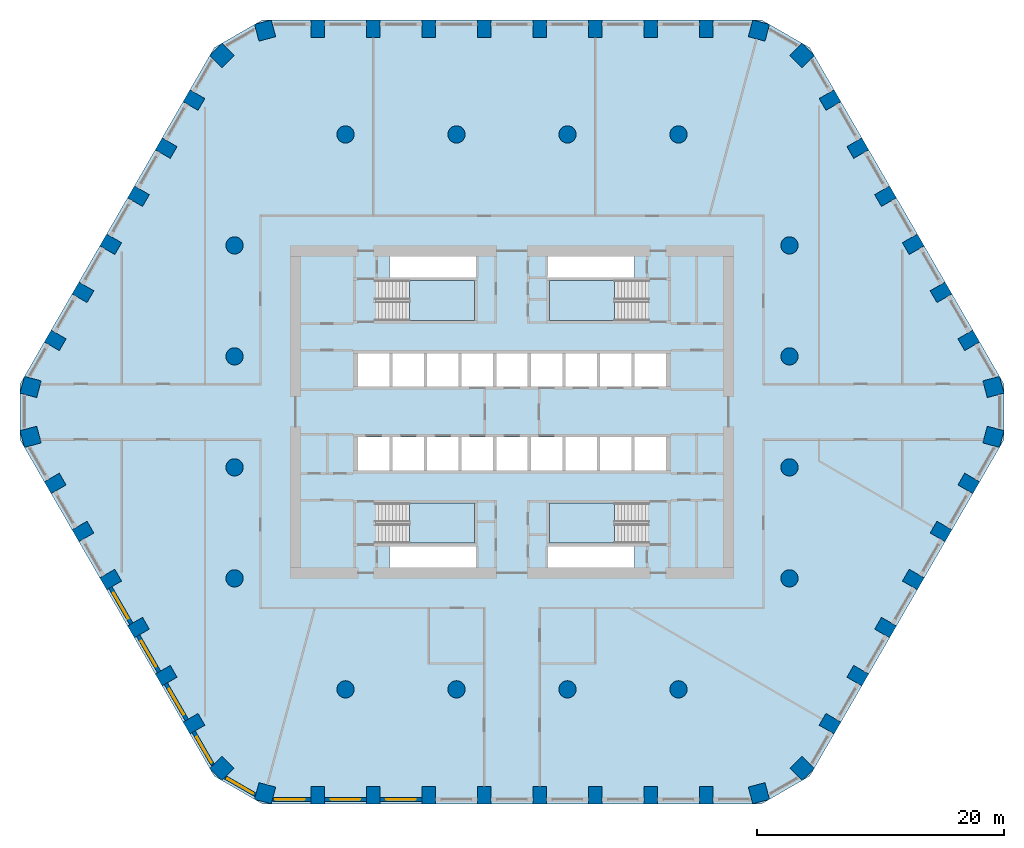
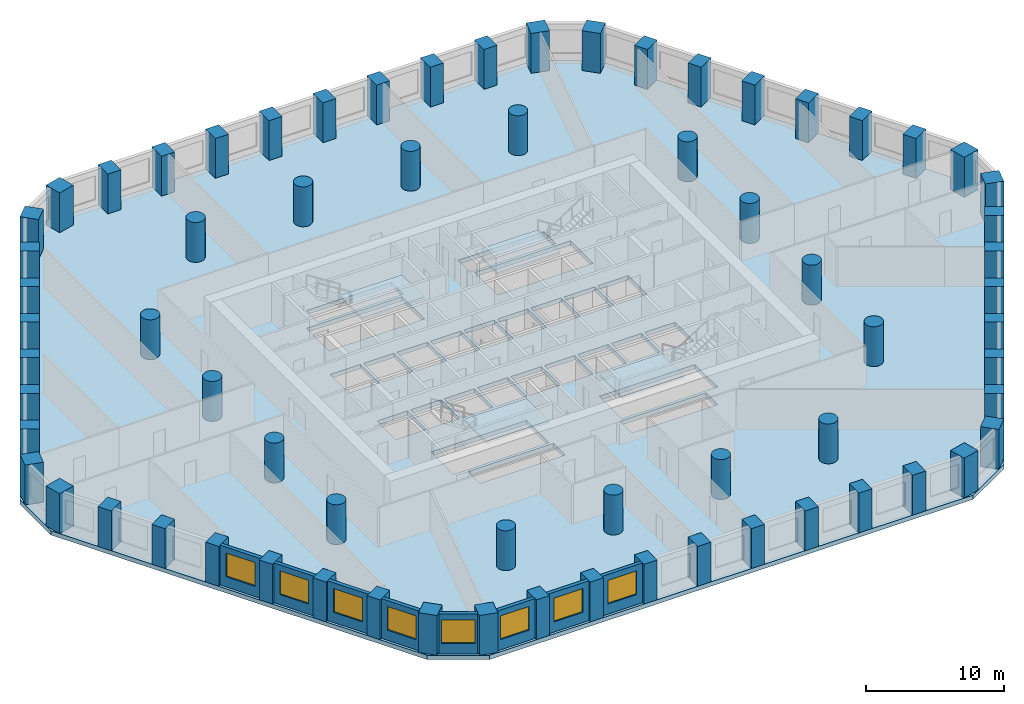
# One storey, part 1 of 10: 68 columns, 8 walls, 8 windows, 5 slabs, 8 openings, 4 elements without a shape of their own.
"""IFC4 building model written with IfcOpenShell, lengths in metres."""

from ifc_helpers import new_model, si_unit, direction, frame, frame_2d, origin, origin_2d, place, context, subcontext, project, spatial, polyline, rectangle, circle, outline, extrude, material, layer, layer_set, material_profile, profile_set, type_object, element, fill, aggregate, save


model = new_model("IFC4")

# Units and contexts
model_context = context("Model", 3, precision=1e-05, world=origin(), true_north=direction((0.0, 1.0)))
body_context = subcontext(model_context, "Body", "Model", "MODEL_VIEW")
ifc_project = project(units=[si_unit("LENGTHUNIT", "METRE"), si_unit("AREAUNIT", "SQUARE_METRE"), si_unit("VOLUMEUNIT", "CUBIC_METRE"), si_unit("PLANEANGLEUNIT", "RADIAN"), si_unit("MASSUNIT", "GRAM", prefix="KILO")], contexts=[model_context])

# Site, building, storey
site_placement = place(None, origin())
site = spatial("IfcSite", under=ifc_project, at=site_placement, CompositionType="ELEMENT")
building_placement = place(site_placement, origin())
building = spatial("IfcBuilding", under=site, at=building_placement, Name="Dhurran Vertical Campus", CompositionType="ELEMENT")
storey_placement = place(building_placement, frame((0.0, 0.0, 65.10009765625)))
storey = spatial("IfcBuildingStorey", under=building, at=storey_placement, Name="L15", CompositionType="ELEMENT", Elevation=65.10009765625)

# Columns
ifc_material_1 = material(Name="Concrete C70/85", Category="concrete")
ifc_material_profile_1 = material_profile(ifc_material_1, rectangle(XDim=1.10009765625, YDim=1.39990234375, at=origin_2d()), Name="RC 1100x1400")
ifc_profile_set_1 = profile_set([ifc_material_profile_1], Name="Concrete C70/85")
column_type_1 = type_object("IfcColumnType", Name="FR COL RC 1100x1400 C70/85", PredefinedType="COLUMN", material=ifc_profile_set_1)
for number, where, z_axis, x_axis, name in (
    (1, (-15.75, -31.079833984375, 0.0), (0.0, 0.0, 1.0), (1.0, 0.0, 0.0), "Perimeter pier PP1.01"),
    (2, (-11.25, -31.079833984375, 0.0), (0.0, 0.0, 1.0), (1.0, 0.0, 0.0), "Perimeter pier PP1.02"),
    (3, (-6.75, -31.079833984375, 0.0), (0.0, 0.0, 1.0), (1.0, 0.0, 0.0), "Perimeter pier PP1.03"),
    (4, (-2.25, -31.079833984375, 0.0), (0.0, 0.0, 1.0), (1.0, 0.0, 0.0), "Perimeter pier PP1.04"),
    (5, (2.25, -31.079833984375, 0.0), (0.0, 0.0, 1.0), (1.0, 0.0, 0.0), "Perimeter pier PP1.05"),
    (6, (6.75, -31.079833984375, 0.0), (0.0, 0.0, 1.0), (1.0, 0.0, 0.0), "Perimeter pier PP1.06"),
    (7, (11.25, -31.079833984375, 0.0), (0.0, 0.0, 1.0), (1.0, 0.0, 0.0), "Perimeter pier PP1.07"),
    (8, (15.75, -31.079833984375, 0.0), (0.0, 0.0, 1.0), (1.0, 0.0, 0.0), "Perimeter pier PP1.08"),
    (9, (25.791015625, -25.28271484375, 0.0), (0.0, 0.0, 1.0), (0.5, 0.866025403784, 0.0), "Perimeter pier PP1.11"),
    (10, (28.041015625, -21.385498046875, 0.0), (0.0, 0.0, 1.0), (0.5, 0.866025403784, 0.0), "Perimeter pier PP1.12"),
    (11, (30.291015625, -17.488525390625, 0.0), (0.0, 0.0, 1.0), (0.5, 0.866025403784, 0.0), "Perimeter pier PP1.13"),
    (12, (32.541015625, -13.59130859375, 0.0), (0.0, 0.0, 1.0), (0.5, 0.866025403784, 0.0), "Perimeter pier PP1.14"),
    (13, (34.791015625, -9.694091796875, 0.0), (0.0, 0.0, 1.0), (0.5, 0.866025403784, 0.0), "Perimeter pier PP1.15"),
    (14, (37.041015625, -5.797119140625, 0.0), (0.0, 0.0, 1.0), (0.5, 0.866025403784, 0.0), "Perimeter pier PP1.16"),
    (15, (37.041015625, 5.797119140625, 0.0), (0.0, 0.0, 1.0), (-0.5, 0.866025403784, 0.0), "Perimeter pier PP1.19"),
    (16, (34.791015625, 9.694091796875, 0.0), (0.0, 0.0, 1.0), (-0.5, 0.866025403784, 0.0), "Perimeter pier PP1.20"),
    (17, (32.541015625, 13.59130859375, 0.0), (0.0, 0.0, 1.0), (-0.5, 0.866025403784, 0.0), "Perimeter pier PP1.21"),
    (18, (30.291015625, 17.488525390625, 0.0), (0.0, 0.0, 1.0), (-0.5, 0.866025403784, 0.0), "Perimeter pier PP1.22"),
    (19, (28.041015625, 21.385498046875, 0.0), (0.0, 0.0, 1.0), (-0.5, 0.866025403784, 0.0), "Perimeter pier PP1.23"),
    (20, (25.791015625, 25.28271484375, 0.0), (0.0, 0.0, 1.0), (-0.5, 0.866025403784, 0.0), "Perimeter pier PP1.24"),
    (21, (15.75, 31.079833984375, 0.0), (0.0, 0.0, 1.0), (-1.0, 0.0, 0.0), "Perimeter pier PP1.27"),
    (22, (11.25, 31.079833984375, 0.0), (0.0, 0.0, 1.0), (-1.0, 0.0, 0.0), "Perimeter pier PP1.28"),
    (23, (6.75, 31.079833984375, 0.0), (0.0, 0.0, 1.0), (-1.0, 0.0, 0.0), "Perimeter pier PP1.29"),
    (24, (2.25, 31.079833984375, 0.0), (0.0, 0.0, 1.0), (-1.0, 0.0, 0.0), "Perimeter pier PP1.30"),
    (25, (-2.25, 31.079833984375, 0.0), (0.0, 0.0, 1.0), (-1.0, 0.0, 0.0), "Perimeter pier PP1.31"),
    (26, (-6.75, 31.079833984375, 0.0), (0.0, 0.0, 1.0), (-1.0, 0.0, 0.0), "Perimeter pier PP1.32"),
    (27, (-11.25, 31.079833984375, 0.0), (0.0, 0.0, 1.0), (-1.0, 0.0, 0.0), "Perimeter pier PP1.33"),
    (28, (-15.75, 31.079833984375, 0.0), (0.0, 0.0, 1.0), (-1.0, 0.0, 0.0), "Perimeter pier PP1.34"),
    (29, (-25.791015625, 25.28271484375, 0.0), (0.0, 0.0, 1.0), (-0.5, -0.866025403784, 0.0), "Perimeter pier PP1.37"),
    (30, (-28.041015625, 21.385498046875, 0.0), (0.0, 0.0, 1.0), (-0.5, -0.866025403784, 0.0), "Perimeter pier PP1.38"),
    (31, (-30.291015625, 17.488525390625, 0.0), (0.0, 0.0, 1.0), (-0.5, -0.866025403784, 0.0), "Perimeter pier PP1.39"),
    (32, (-32.541015625, 13.59130859375, 0.0), (0.0, 0.0, 1.0), (-0.5, -0.866025403784, 0.0), "Perimeter pier PP1.40"),
    (33, (-34.791015625, 9.694091796875, 0.0), (0.0, 0.0, 1.0), (-0.5, -0.866025403784, 0.0), "Perimeter pier PP1.41"),
    (34, (-37.041015625, 5.797119140625, 0.0), (0.0, 0.0, 1.0), (-0.5, -0.866025403784, 0.0), "Perimeter pier PP1.42"),
    (35, (-37.041015625, -5.797119140625, 0.0), (0.0, 0.0, 1.0), (0.5, -0.866025403784, 0.0), "Perimeter pier PP1.45"),
    (36, (-34.791015625, -9.694091796875, 0.0), (0.0, 0.0, 1.0), (0.5, -0.866025403784, 0.0), "Perimeter pier PP1.46"),
    (37, (-32.541015625, -13.59130859375, 0.0), (0.0, 0.0, 1.0), (0.5, -0.866025403784, 0.0), "Perimeter pier PP1.47"),
    (38, (-30.291015625, -17.488525390625, 0.0), (0.0, 0.0, 1.0), (0.5, -0.866025403784, 0.0), "Perimeter pier PP1.48"),
    (39, (-28.041015625, -21.385498046875, 0.0), (0.0, 0.0, 1.0), (0.5, -0.866025403784, 0.0), "Perimeter pier PP1.49"),
    (40, (-25.791015625, -25.28271484375, 0.0), (0.0, 0.0, 1.0), (0.5, -0.866025403784, 0.0), "Perimeter pier PP1.50"),
):
    element("IfcColumn", number, at=place(storey_placement, frame(where, z_axis=z_axis, x_axis=x_axis)), inside=storey, type_object=column_type_1, Name=name, PredefinedType="COLUMN", context=body_context, shape_type="SweptSolid", body=[
        extrude(rectangle(XDim=1.10009765625, YDim=1.39990234375, at=origin_2d()), origin(), (0.0, 0.0, 1.0), 3.52490234375),
    ])
ifc_material_2 = material(Name="Concrete C70/85", Category="concrete")
ifc_material_profile_2 = material_profile(ifc_material_2, rectangle(XDim=1.39990234375, YDim=1.39990234375, at=origin_2d()), Name="RC 1400x1400")
ifc_profile_set_2 = profile_set([ifc_material_profile_2], Name="Concrete C70/85")
column_type_2 = type_object("IfcColumnType", Name="FR COL RC 1400x1400 C70/85", PredefinedType="COLUMN", material=ifc_profile_set_2)
for number, where, z_axis, x_axis, name in (
    (41, (-20.020263671875, -30.922607421875, 0.0), (0.0, 0.0, 1.0), (0.965925826289, -0.258819045103, 0.0), "Perimeter pier PP1.00"),
    (42, (20.020263671875, -30.922607421875, 0.0), (0.0, 0.0, 1.0), (0.965925826289, 0.258819045103, 0.0), "Perimeter pier PP1.09"),
    (43, (23.51953125, -28.902099609375, 0.0), (0.0, 0.0, 1.0), (0.707106781187, 0.707106781187, 0.0), "Perimeter pier PP1.10"),
    (44, (39.039794921875, -2.020263671875, 0.0), (0.0, 0.0, 1.0), (0.258819045103, 0.965925826289, 0.0), "Perimeter pier PP1.17"),
    (45, (39.039794921875, 2.020263671875, 0.0), (0.0, 0.0, 1.0), (-0.258819045103, 0.965925826289, 0.0), "Perimeter pier PP1.18"),
    (46, (23.51953125, 28.902099609375, 0.0), (0.0, 0.0, 1.0), (-0.707106781187, 0.707106781187, 0.0), "Perimeter pier PP1.25"),
    (47, (20.020263671875, 30.922607421875, 0.0), (0.0, 0.0, 1.0), (-0.965925826289, 0.258819045103, 0.0), "Perimeter pier PP1.26"),
    (48, (-20.020263671875, 30.922607421875, 0.0), (0.0, 0.0, 1.0), (-0.965925826289, -0.258819045103, 0.0), "Perimeter pier PP1.35"),
    (49, (-23.51953125, 28.902099609375, 0.0), (0.0, 0.0, 1.0), (-0.707106781187, -0.707106781187, 0.0), "Perimeter pier PP1.36"),
    (50, (-39.039794921875, 2.020263671875, 0.0), (0.0, 0.0, 1.0), (-0.258819045103, -0.965925826289, 0.0), "Perimeter pier PP1.43"),
    (51, (-39.039794921875, -2.020263671875, 0.0), (0.0, 0.0, 1.0), (0.258819045103, -0.965925826289, 0.0), "Perimeter pier PP1.44"),
    (52, (-23.51953125, -28.902099609375, 0.0), (0.0, 0.0, 1.0), (0.707106781187, -0.707106781187, 0.0), "Perimeter pier PP1.51"),
):
    element("IfcColumn", number, at=place(storey_placement, frame(where, z_axis=z_axis, x_axis=x_axis)), inside=storey, type_object=column_type_2, Name=name, PredefinedType="COLUMN", context=body_context, shape_type="SweptSolid", body=[
        extrude(rectangle(XDim=1.39990234375, YDim=1.39990234375, at=origin_2d()), origin(), (0.0, 0.0, 1.0), 3.52490234375),
    ])
ifc_material_3 = material(Name="Concrete C70/85", Category="concrete")
ifc_material_profile_3 = material_profile(ifc_material_3, circle(Radius=0.699951171875, at=origin_2d()), Name="RCC D1400")
ifc_profile_set_3 = profile_set([ifc_material_profile_3], Name="Concrete C70/85")
column_type_3 = type_object("IfcColumnType", Name="FR COL RCC D1400 C70/85", PredefinedType="COLUMN", material=ifc_profile_set_3)
for number, where, z_axis, x_axis, name in (
    (53, (-22.5, -13.5, 0.0), (0.0, 0.0, 1.0), (1.0, 0.0, 0.0), "Inner column IC1-D4"),
    (54, (-22.5, -4.5, 0.0), (0.0, 0.0, 1.0), (1.0, 0.0, 0.0), "Inner column IC1-D5"),
    (55, (-22.5, 4.5, 0.0), (0.0, 0.0, 1.0), (1.0, 0.0, 0.0), "Inner column IC1-D6"),
    (56, (-22.5, 13.5, 0.0), (0.0, 0.0, 1.0), (1.0, 0.0, 0.0), "Inner column IC1-D7"),
    (57, (-13.5, -22.5, 0.0), (0.0, 0.0, 1.0), (1.0, 0.0, 0.0), "Inner column IC1-E3"),
    (58, (-13.5, 22.5, 0.0), (0.0, 0.0, 1.0), (1.0, 0.0, 0.0), "Inner column IC1-E8"),
    (59, (-4.5, -22.5, 0.0), (0.0, 0.0, 1.0), (1.0, 0.0, 0.0), "Inner column IC1-F3"),
    (60, (-4.5, 22.5, 0.0), (0.0, 0.0, 1.0), (1.0, 0.0, 0.0), "Inner column IC1-F8"),
    (61, (4.5, -22.5, 0.0), (0.0, 0.0, 1.0), (1.0, 0.0, 0.0), "Inner column IC1-G3"),
    (62, (4.5, 22.5, 0.0), (0.0, 0.0, 1.0), (1.0, 0.0, 0.0), "Inner column IC1-G8"),
    (63, (13.5, -22.5, 0.0), (0.0, 0.0, 1.0), (1.0, 0.0, 0.0), "Inner column IC1-H3"),
    (64, (13.5, 22.5, 0.0), (0.0, 0.0, 1.0), (1.0, 0.0, 0.0), "Inner column IC1-H8"),
    (65, (22.5, -13.5, 0.0), (0.0, 0.0, 1.0), (1.0, 0.0, 0.0), "Inner column IC1-J4"),
    (66, (22.5, -4.5, 0.0), (0.0, 0.0, 1.0), (1.0, 0.0, 0.0), "Inner column IC1-J5"),
    (67, (22.5, 4.5, 0.0), (0.0, 0.0, 1.0), (1.0, 0.0, 0.0), "Inner column IC1-J6"),
    (68, (22.5, 13.5, 0.0), (0.0, 0.0, 1.0), (1.0, 0.0, 0.0), "Inner column IC1-J7"),
):
    element("IfcColumn", number, at=place(storey_placement, frame(where, z_axis=z_axis, x_axis=x_axis)), inside=storey, type_object=column_type_3, Name=name, PredefinedType="COLUMN", context=body_context, shape_type="SweptSolid", body=[
        extrude(circle(Radius=0.699951171875, at=origin_2d()), origin(), (0.0, 0.0, 1.0), 3.52490234375),
    ])

# Slab
ifc_material_4 = material(Name="Concrete C40/50", Category="concrete")
ifc_layer_1 = layer(ifc_material_4, 0.375)
ifc_layer_set_1 = layer_set([ifc_layer_1], Name="Concrete C40/50")
slab_type_1 = type_object("IfcSlabType", Name="FR POST-TENSIONED FLAT SLAB 375", PredefinedType="FLOOR", material=ifc_layer_set_1)
slab_1_placement = place(storey_placement, frame((0.0, 0.0, -0.375)))
element("IfcSlab", 69, at=slab_1_placement, inside=storey, type_object=slab_type_1, Name="Floor slab L15", PredefinedType="FLOOR", context=body_context, shape_type="SweptSolid", body=[
    extrude(outline(polyline([(-20.25, -31.77978515625), (20.25, -31.77978515625), (24.147216796875, -29.52978515625), (39.897216796875, -2.25), (39.897216796875, 2.25), (24.147216796875, 29.52978515625), (20.25, 31.77978515625), (-20.25, 31.77978515625), (-24.147216796875, 29.52978515625), (-39.897216796875, 2.25), (-39.897216796875, -2.25), (-24.147216796875, -29.52978515625), (-20.25, -31.77978515625)]), holes=[polyline([(-12.47509765625, 2.050048828125), (-9.925048828125, 2.050048828125), (-9.925048828125, 4.75), (-12.47509765625, 4.75), (-12.47509765625, 2.050048828125)]), polyline([(-9.675048828125, 2.050048828125), (-7.125, 2.050048828125), (-7.125, 4.75), (-9.675048828125, 4.75), (-9.675048828125, 2.050048828125)]), polyline([(-6.875, 2.050048828125), (-4.324951171875, 2.050048828125), (-4.324951171875, 4.75), (-6.875, 4.75), (-6.875, 2.050048828125)]), polyline([(-1.27490234375, 2.050048828125), (1.27490234375, 2.050048828125), (1.27490234375, 4.75), (-1.27490234375, 4.75), (-1.27490234375, 2.050048828125)]), polyline([(9.925048828125, 2.050048828125), (12.47509765625, 2.050048828125), (12.47509765625, 4.75), (9.925048828125, 4.75), (9.925048828125, 2.050048828125)]), polyline([(-1.27490234375, -4.75), (1.27490234375, -4.75), (1.27490234375, -2.050048828125), (-1.27490234375, -2.050048828125), (-1.27490234375, -4.75)]), polyline([(1.52490234375, -4.75), (4.074951171875, -4.75), (4.074951171875, -2.050048828125), (1.52490234375, -2.050048828125), (1.52490234375, -4.75)]), polyline([(4.324951171875, -4.75), (6.875, -4.75), (6.875, -2.050048828125), (4.324951171875, -2.050048828125), (4.324951171875, -4.75)]), polyline([(7.125, -4.75), (9.675048828125, -4.75), (9.675048828125, -2.050048828125), (7.125, -2.050048828125), (7.125, -4.75)]), polyline([(9.925048828125, -4.75), (12.47509765625, -4.75), (12.47509765625, -2.050048828125), (9.925048828125, -2.050048828125), (9.925048828125, -4.75)]), polyline([(-4.074951171875, 2.050048828125), (-1.52490234375, 2.050048828125), (-1.52490234375, 4.75), (-4.074951171875, 4.75), (-4.074951171875, 2.050048828125)]), polyline([(1.52490234375, 2.050048828125), (4.074951171875, 2.050048828125), (4.074951171875, 4.75), (1.52490234375, 4.75), (1.52490234375, 2.050048828125)]), polyline([(4.324951171875, 2.050048828125), (6.875, 2.050048828125), (6.875, 4.75), (4.324951171875, 4.75), (4.324951171875, 2.050048828125)]), polyline([(7.125, 2.050048828125), (9.675048828125, 2.050048828125), (9.675048828125, 4.75), (7.125, 4.75), (7.125, 2.050048828125)]), polyline([(-12.47509765625, -4.75), (-9.925048828125, -4.75), (-9.925048828125, -2.050048828125), (-12.47509765625, -2.050048828125), (-12.47509765625, -4.75)]), polyline([(-9.675048828125, -4.75), (-7.125, -4.75), (-7.125, -2.050048828125), (-9.675048828125, -2.050048828125), (-9.675048828125, -4.75)]), polyline([(-6.875, -4.75), (-4.324951171875, -4.75), (-4.324951171875, -2.050048828125), (-6.875, -2.050048828125), (-6.875, -4.75)]), polyline([(-4.074951171875, -4.75), (-1.52490234375, -4.75), (-1.52490234375, -2.050048828125), (-4.074951171875, -2.050048828125), (-4.074951171875, -4.75)]), polyline([(-11.050048828125, 7.39990234375), (-3.050048828125, 7.39990234375), (-3.050048828125, 10.64990234375), (-11.050048828125, 10.64990234375), (-11.050048828125, 7.39990234375)]), polyline([(3.050048828125, 7.39990234375), (11.050048828125, 7.39990234375), (11.050048828125, 10.64990234375), (3.050048828125, 10.64990234375), (3.050048828125, 7.39990234375)]), polyline([(-11.050048828125, -10.64990234375), (-3.050048828125, -10.64990234375), (-3.050048828125, -7.39990234375), (-11.050048828125, -7.39990234375), (-11.050048828125, -10.64990234375)]), polyline([(3.050048828125, -10.64990234375), (11.050048828125, -10.64990234375), (11.050048828125, -7.39990234375), (3.050048828125, -7.39990234375), (3.050048828125, -10.64990234375)]), polyline([(-9.949951171875, 10.89990234375), (-9.949951171875, 12.60009765625), (-2.800048828125, 12.60009765625), (-2.800048828125, 10.89990234375), (-9.949951171875, 10.89990234375)]), polyline([(9.949951171875, 12.60009765625), (9.949951171875, 10.89990234375), (2.800048828125, 10.89990234375), (2.800048828125, 12.60009765625), (9.949951171875, 12.60009765625)]), polyline([(-9.949951171875, -12.60009765625), (-9.949951171875, -10.89990234375), (-2.800048828125, -10.89990234375), (-2.800048828125, -12.60009765625), (-9.949951171875, -12.60009765625)]), polyline([(9.949951171875, -10.89990234375), (9.949951171875, -12.60009765625), (2.800048828125, -12.60009765625), (2.800048828125, -10.89990234375), (9.949951171875, -10.89990234375)])]), origin(), (0.0, 0.0, 1.0), 0.375),
])

# Stair, slab
ifc_material_5 = material(Name="Concrete C40/50", Category="concrete")
stair_type = type_object("IfcStairType", Name="co-ST-CORE", PredefinedType="HALF_TURN_STAIR", material=ifc_material_5)
stair_1_placement = place(storey_placement, origin())
stair_1 = element("IfcStair", 70, at=stair_1_placement, inside=storey, type_object=stair_type, Name="L15 Protected exit stair ST1", PredefinedType="HALF_TURN_STAIR")
ifc_material_6 = material(Name="Concrete C40/50", Category="concrete")
ifc_layer_2 = layer(ifc_material_6, 0.199951171875)
ifc_layer_set_2 = layer_set([ifc_layer_2], Name="Concrete C40/50")
slab_type_2 = type_object("IfcSlabType", Name="co-SL-LANDING", PredefinedType="LANDING", material=ifc_layer_set_2)
slab_2_placement = place(storey_placement, frame((0.0, 0.0, 1.75)))
slab_2 = element("IfcSlab", 71, at=slab_2_placement, type_object=slab_type_2, Name="ST1 landing 1", PredefinedType="LANDING", context=body_context, shape_type="SweptSolid", body=[
    extrude(outline(polyline([(-8.300048828125, 7.39990234375), (-3.050048828125, 7.39990234375), (-3.050048828125, 10.64990234375), (-8.300048828125, 10.64990234375), (-8.300048828125, 7.39990234375)])), origin(), (0.0, 0.0, 1.0), 0.199951171875),
])
aggregate(stair_1, [slab_2])

stair_2_placement = place(storey_placement, origin())
stair_2 = element("IfcStair", 72, at=stair_2_placement, inside=storey, type_object=stair_type, Name="L15 Protected exit stair ST2", PredefinedType="HALF_TURN_STAIR")
slab_3_placement = place(storey_placement, frame((0.0, 0.0, 1.75)))
slab_3 = element("IfcSlab", 73, at=slab_3_placement, type_object=slab_type_2, Name="ST2 landing 1", PredefinedType="LANDING", context=body_context, shape_type="SweptSolid", body=[
    extrude(outline(polyline([(8.300048828125, 10.64990234375), (3.050048828125, 10.64990234375), (3.050048828125, 7.39990234375), (8.300048828125, 7.39990234375), (8.300048828125, 10.64990234375)])), origin(), (0.0, 0.0, 1.0), 0.199951171875),
])
aggregate(stair_2, [slab_3])

stair_3_placement = place(storey_placement, origin())
stair_3 = element("IfcStair", 74, at=stair_3_placement, inside=storey, type_object=stair_type, Name="L15 Protected exit stair ST3", PredefinedType="HALF_TURN_STAIR")
slab_4_placement = place(storey_placement, frame((0.0, 0.0, 1.75)))
slab_4 = element("IfcSlab", 75, at=slab_4_placement, type_object=slab_type_2, Name="ST3 landing 1", PredefinedType="LANDING", context=body_context, shape_type="SweptSolid", body=[
    extrude(outline(polyline([(-8.300048828125, -10.64990234375), (-3.050048828125, -10.64990234375), (-3.050048828125, -7.39990234375), (-8.300048828125, -7.39990234375), (-8.300048828125, -10.64990234375)])), origin(), (0.0, 0.0, 1.0), 0.199951171875),
])
aggregate(stair_3, [slab_4])

stair_4_placement = place(storey_placement, origin())
stair_4 = element("IfcStair", 76, at=stair_4_placement, inside=storey, type_object=stair_type, Name="L15 Protected exit stair ST4", PredefinedType="HALF_TURN_STAIR")
slab_5_placement = place(storey_placement, frame((0.0, 0.0, 1.75)))
slab_5 = element("IfcSlab", 77, at=slab_5_placement, type_object=slab_type_2, Name="ST4 landing 1", PredefinedType="LANDING", context=body_context, shape_type="SweptSolid", body=[
    extrude(outline(polyline([(8.300048828125, -7.39990234375), (3.050048828125, -7.39990234375), (3.050048828125, -10.64990234375), (8.300048828125, -10.64990234375), (8.300048828125, -7.39990234375)])), origin(), (0.0, 0.0, 1.0), 0.199951171875),
])
aggregate(stair_4, [slab_5])

# Wall, opening, window
ifc_material_7 = material(Name="Precast concrete C50/60", Category="concrete")
ifc_layer_3 = layer(ifc_material_7, 0.300048828125)
ifc_layer_set_3 = layer_set([ifc_layer_3], Name="Precast concrete C50/60")
wall_type = type_object("IfcWallType", Name="Precast spandrel wall 300", PredefinedType="SOLIDWALL", material=ifc_layer_set_3)
wall_1_placement = place(storey_placement, frame((-19.39111328125, -31.4296875, 0.0), z_axis=(0.0, 0.0, 1.0), x_axis=(1.0, 0.0, 0.0)))
wall_1 = element("IfcWall", 78, at=wall_1_placement, inside=storey, type_object=wall_type, Name="EW1 L15.00", PredefinedType="SOLIDWALL", context=body_context, shape_type="SweptSolid", body=[
    extrude(rectangle(XDim=3.090576171875, YDim=0.300048828125, at=frame_2d((1.54541015625, 0.0))), origin(), (0.0, 0.0, 1.0), 3.52490234375),
])
opening_1_placement = place(wall_1_placement, frame((0.191162109375, 0.0, 0.89990234375)))
opening_1 = element("IfcOpeningElement", 79, at=opening_1_placement, cuts=wall_1, Name="Opening WT1", PredefinedType="OPENING", context=body_context, shape_type="SweptSolid", body=[
    extrude(rectangle(XDim=2.39990234375, YDim=2.10009765625, at=frame_2d((1.199951171875, 1.050048828125))), frame((0.0, 0.159912109375, 0.0), z_axis=(0.0, -1.0, 0.0), x_axis=(1.0, 0.0, 0.0)), (0.0, 0.0, 1.0), 0.320068359375),
])
ifc_material_8 = material(Name="Aluminium frame with solar-control glass", Category="aluminium")
window_type = type_object("IfcWindowType", Name="Punched window 2400 x 2100", PartitioningType="SINGLE_PANEL", PredefinedType="WINDOW", material=ifc_material_8)
window_1_placement = place(opening_1_placement, origin())
window_1 = element("IfcWindow", 80, at=window_1_placement, inside=storey, type_object=window_type, Name="WT1 L15.00", OverallHeight=2.10009765625, OverallWidth=2.39990234375, PartitioningType="SINGLE_PANEL", PredefinedType="WINDOW", context=body_context, shape_type="SweptSolid", body=[
    extrude(rectangle(XDim=2.39990234375, YDim=2.10009765625, at=frame_2d((1.199951171875, 1.050048828125))), frame((0.0, 0.030029296875, 0.0), z_axis=(0.0, -1.0, 0.0), x_axis=(1.0, 0.0, 0.0)), (0.0, 0.0, 1.0), 0.06005859375),
])
fill(opening_1, window_1)

wall_2_placement = place(storey_placement, frame((-15.199462890625, -31.4296875, 0.0), z_axis=(0.0, 0.0, 1.0), x_axis=(1.0, 0.0, 0.0)))
wall_2 = element("IfcWall", 81, at=wall_2_placement, inside=storey, type_object=wall_type, Name="EW1 L15.01", PredefinedType="SOLIDWALL", context=body_context, shape_type="SweptSolid", body=[
    extrude(rectangle(XDim=3.39892578125, YDim=0.300048828125, at=frame_2d((1.699462890625, 0.0))), origin(), (0.0, 0.0, 1.0), 3.52490234375),
])
opening_2_placement = place(wall_2_placement, frame((0.49951171875, 0.0, 0.89990234375)))
opening_2 = element("IfcOpeningElement", 82, at=opening_2_placement, cuts=wall_2, Name="Opening WT1", PredefinedType="OPENING", context=body_context, shape_type="SweptSolid", body=[
    extrude(rectangle(XDim=2.39990234375, YDim=2.10009765625, at=frame_2d((1.199951171875, 1.050048828125))), frame((0.0, 0.159912109375, 0.0), z_axis=(0.0, -1.0, 0.0), x_axis=(1.0, 0.0, 0.0)), (0.0, 0.0, 1.0), 0.320068359375),
])
window_2_placement = place(opening_2_placement, origin())
window_2 = element("IfcWindow", 83, at=window_2_placement, inside=storey, type_object=window_type, Name="WT1 L15.01", OverallHeight=2.10009765625, OverallWidth=2.39990234375, PartitioningType="SINGLE_PANEL", PredefinedType="WINDOW", context=body_context, shape_type="SweptSolid", body=[
    extrude(rectangle(XDim=2.39990234375, YDim=2.10009765625, at=frame_2d((1.199951171875, 1.050048828125))), frame((0.0, 0.030029296875, 0.0), z_axis=(0.0, -1.0, 0.0), x_axis=(1.0, 0.0, 0.0)), (0.0, 0.0, 1.0), 0.06005859375),
])
fill(opening_2, window_2)

wall_3_placement = place(storey_placement, frame((-10.699462890625, -31.4296875, 0.0), z_axis=(0.0, 0.0, 1.0), x_axis=(1.0, 0.0, 0.0)))
wall_3 = element("IfcWall", 84, at=wall_3_placement, inside=storey, type_object=wall_type, Name="EW1 L15.02", PredefinedType="SOLIDWALL", context=body_context, shape_type="SweptSolid", body=[
    extrude(rectangle(XDim=3.39892578125, YDim=0.300048828125, at=frame_2d((1.699462890625, 0.0))), origin(), (0.0, 0.0, 1.0), 3.52490234375),
])
opening_3_placement = place(wall_3_placement, frame((0.49951171875, 0.0, 0.89990234375)))
opening_3 = element("IfcOpeningElement", 85, at=opening_3_placement, cuts=wall_3, Name="Opening WT1", PredefinedType="OPENING", context=body_context, shape_type="SweptSolid", body=[
    extrude(rectangle(XDim=2.39990234375, YDim=2.10009765625, at=frame_2d((1.199951171875, 1.050048828125))), frame((0.0, 0.159912109375, 0.0), z_axis=(0.0, -1.0, 0.0), x_axis=(1.0, 0.0, 0.0)), (0.0, 0.0, 1.0), 0.320068359375),
])
window_3_placement = place(opening_3_placement, origin())
window_3 = element("IfcWindow", 86, at=window_3_placement, inside=storey, type_object=window_type, Name="WT1 L15.02", OverallHeight=2.10009765625, OverallWidth=2.39990234375, PartitioningType="SINGLE_PANEL", PredefinedType="WINDOW", context=body_context, shape_type="SweptSolid", body=[
    extrude(rectangle(XDim=2.39990234375, YDim=2.10009765625, at=frame_2d((1.199951171875, 1.050048828125))), frame((0.0, 0.030029296875, 0.0), z_axis=(0.0, -1.0, 0.0), x_axis=(1.0, 0.0, 0.0)), (0.0, 0.0, 1.0), 0.06005859375),
])
fill(opening_3, window_3)

wall_4_placement = place(storey_placement, frame((-32.56884765625, -14.2431640625, 0.0), z_axis=(0.0, 0.0, 1.0), x_axis=(0.499993955907, -0.866028893315, 0.0)))
wall_4 = element("IfcWall", 87, at=wall_4_placement, inside=storey, type_object=wall_type, Name="EW1 L15.47", PredefinedType="SOLIDWALL", context=body_context, shape_type="SweptSolid", body=[
    extrude(rectangle(XDim=3.39892578125, YDim=0.300048828125, at=frame_2d((1.699462890625, 0.0))), origin(), (0.0, 0.0, 1.0), 3.52490234375),
])
opening_4_placement = place(wall_4_placement, frame((0.49951171875, 0.0, 0.89990234375)))
opening_4 = element("IfcOpeningElement", 88, at=opening_4_placement, cuts=wall_4, Name="Opening WT1", PredefinedType="OPENING", context=body_context, shape_type="SweptSolid", body=[
    extrude(rectangle(XDim=2.39990234375, YDim=2.10009765625, at=frame_2d((1.199951171875, 1.050048828125))), frame((0.0, 0.159912109375, 0.0), z_axis=(0.0, -1.0, 0.0), x_axis=(1.0, 0.0, 0.0)), (0.0, 0.0, 1.0), 0.320068359375),
])
window_4_placement = place(opening_4_placement, origin())
window_4 = element("IfcWindow", 89, at=window_4_placement, inside=storey, type_object=window_type, Name="WT1 L15.47", OverallHeight=2.10009765625, OverallWidth=2.39990234375, PartitioningType="SINGLE_PANEL", PredefinedType="WINDOW", context=body_context, shape_type="SweptSolid", body=[
    extrude(rectangle(XDim=2.39990234375, YDim=2.10009765625, at=frame_2d((1.199951171875, 1.050048828125))), frame((0.0, 0.030029296875, 0.0), z_axis=(0.0, -1.0, 0.0), x_axis=(1.0, 0.0, 0.0)), (0.0, 0.0, 1.0), 0.06005859375),
])
fill(opening_4, window_4)

wall_5_placement = place(storey_placement, frame((-30.31884765625, -18.14013671875, 0.0), z_axis=(0.0, 0.0, 1.0), x_axis=(0.499993955907, -0.866028893315, 0.0)))
wall_5 = element("IfcWall", 90, at=wall_5_placement, inside=storey, type_object=wall_type, Name="EW1 L15.48", PredefinedType="SOLIDWALL", context=body_context, shape_type="SweptSolid", body=[
    extrude(rectangle(XDim=3.39892578125, YDim=0.300048828125, at=frame_2d((1.699462890625, 0.0))), origin(), (0.0, 0.0, 1.0), 3.52490234375),
])
opening_5_placement = place(wall_5_placement, frame((0.49951171875, 0.0, 0.89990234375)))
opening_5 = element("IfcOpeningElement", 91, at=opening_5_placement, cuts=wall_5, Name="Opening WT1", PredefinedType="OPENING", context=body_context, shape_type="SweptSolid", body=[
    extrude(rectangle(XDim=2.39990234375, YDim=2.10009765625, at=frame_2d((1.199951171875, 1.050048828125))), frame((0.0, 0.159912109375, 0.0), z_axis=(0.0, -1.0, 0.0), x_axis=(1.0, 0.0, 0.0)), (0.0, 0.0, 1.0), 0.320068359375),
])
window_5_placement = place(opening_5_placement, origin())
window_5 = element("IfcWindow", 92, at=window_5_placement, inside=storey, type_object=window_type, Name="WT1 L15.48", OverallHeight=2.10009765625, OverallWidth=2.39990234375, PartitioningType="SINGLE_PANEL", PredefinedType="WINDOW", context=body_context, shape_type="SweptSolid", body=[
    extrude(rectangle(XDim=2.39990234375, YDim=2.10009765625, at=frame_2d((1.199951171875, 1.050048828125))), frame((0.0, 0.030029296875, 0.0), z_axis=(0.0, -1.0, 0.0), x_axis=(1.0, 0.0, 0.0)), (0.0, 0.0, 1.0), 0.06005859375),
])
fill(opening_5, window_5)

wall_6_placement = place(storey_placement, frame((-28.06884765625, -22.037353515625, 0.0), z_axis=(0.0, 0.0, 1.0), x_axis=(0.499993955907, -0.866028893315, 0.0)))
wall_6 = element("IfcWall", 93, at=wall_6_placement, inside=storey, type_object=wall_type, Name="EW1 L15.49", PredefinedType="SOLIDWALL", context=body_context, shape_type="SweptSolid", body=[
    extrude(rectangle(XDim=3.39892578125, YDim=0.300048828125, at=frame_2d((1.699462890625, 0.0))), origin(), (0.0, 0.0, 1.0), 3.52490234375),
])
opening_6_placement = place(wall_6_placement, frame((0.49951171875, 0.0, 0.89990234375)))
opening_6 = element("IfcOpeningElement", 94, at=opening_6_placement, cuts=wall_6, Name="Opening WT1", PredefinedType="OPENING", context=body_context, shape_type="SweptSolid", body=[
    extrude(rectangle(XDim=2.39990234375, YDim=2.10009765625, at=frame_2d((1.199951171875, 1.050048828125))), frame((0.0, 0.159912109375, 0.0), z_axis=(0.0, -1.0, 0.0), x_axis=(1.0, 0.0, 0.0)), (0.0, 0.0, 1.0), 0.320068359375),
])
window_6_placement = place(opening_6_placement, origin())
window_6 = element("IfcWindow", 95, at=window_6_placement, inside=storey, type_object=window_type, Name="WT1 L15.49", OverallHeight=2.10009765625, OverallWidth=2.39990234375, PartitioningType="SINGLE_PANEL", PredefinedType="WINDOW", context=body_context, shape_type="SweptSolid", body=[
    extrude(rectangle(XDim=2.39990234375, YDim=2.10009765625, at=frame_2d((1.199951171875, 1.050048828125))), frame((0.0, 0.030029296875, 0.0), z_axis=(0.0, -1.0, 0.0), x_axis=(1.0, 0.0, 0.0)), (0.0, 0.0, 1.0), 0.06005859375),
])
fill(opening_6, window_6)

wall_7_placement = place(storey_placement, frame((-25.81884765625, -25.934326171875, 0.0), z_axis=(0.0, 0.0, 1.0), x_axis=(0.499995950774, -0.866027741594, 0.0)))
wall_7 = element("IfcWall", 96, at=wall_7_placement, inside=storey, type_object=wall_type, Name="EW1 L15.50", PredefinedType="SOLIDWALL", context=body_context, shape_type="SweptSolid", body=[
    extrude(rectangle(XDim=3.0908203125, YDim=0.300048828125, at=frame_2d((1.54541015625, 0.0))), origin(), (0.0, 0.0, 1.0), 3.52490234375),
])
opening_7_placement = place(wall_7_placement, frame((0.49951171875, 0.0, 0.89990234375)))
opening_7 = element("IfcOpeningElement", 97, at=opening_7_placement, cuts=wall_7, Name="Opening WT1", PredefinedType="OPENING", context=body_context, shape_type="SweptSolid", body=[
    extrude(rectangle(XDim=2.39990234375, YDim=2.10009765625, at=frame_2d((1.199951171875, 1.050048828125))), frame((0.0, 0.159912109375, 0.0), z_axis=(0.0, -1.0, 0.0), x_axis=(1.0, 0.0, 0.0)), (0.0, 0.0, 1.0), 0.320068359375),
])
window_7_placement = place(opening_7_placement, origin())
window_7 = element("IfcWindow", 98, at=window_7_placement, inside=storey, type_object=window_type, Name="WT1 L15.50", OverallHeight=2.10009765625, OverallWidth=2.39990234375, PartitioningType="SINGLE_PANEL", PredefinedType="WINDOW", context=body_context, shape_type="SweptSolid", body=[
    extrude(rectangle(XDim=2.39990234375, YDim=2.10009765625, at=frame_2d((1.199951171875, 1.050048828125))), frame((0.0, 0.030029296875, 0.0), z_axis=(0.0, -1.0, 0.0), x_axis=(1.0, 0.0, 0.0)), (0.0, 0.0, 1.0), 0.06005859375),
])
fill(opening_7, window_7)

wall_8_placement = place(storey_placement, frame((-23.228271484375, -29.656005859375, 0.0), z_axis=(0.0, 0.0, 1.0), x_axis=(0.866020456713, -0.500008568482, 0.0)))
wall_8 = element("IfcWall", 99, at=wall_8_placement, inside=storey, type_object=wall_type, Name="EW1 L15.51", PredefinedType="SOLIDWALL", context=body_context, shape_type="SweptSolid", body=[
    extrude(rectangle(XDim=2.7822265625, YDim=0.300048828125, at=frame_2d((1.39111328125, 0.0))), origin(), (0.0, 0.0, 1.0), 3.52490234375),
])
opening_8_placement = place(wall_8_placement, frame((0.191162109375, 0.0, 0.89990234375)))
opening_8 = element("IfcOpeningElement", 100, at=opening_8_placement, cuts=wall_8, Name="Opening WT1", PredefinedType="OPENING", context=body_context, shape_type="SweptSolid", body=[
    extrude(rectangle(XDim=2.39990234375, YDim=2.10009765625, at=frame_2d((1.199951171875, 1.050048828125))), frame((0.0, 0.159912109375, 0.0), z_axis=(0.0, -1.0, 0.0), x_axis=(1.0, 0.0, 0.0)), (0.0, 0.0, 1.0), 0.320068359375),
])
window_8_placement = place(opening_8_placement, origin())
window_8 = element("IfcWindow", 101, at=window_8_placement, inside=storey, type_object=window_type, Name="WT1 L15.51", OverallHeight=2.10009765625, OverallWidth=2.39990234375, PartitioningType="SINGLE_PANEL", PredefinedType="WINDOW", context=body_context, shape_type="SweptSolid", body=[
    extrude(rectangle(XDim=2.39990234375, YDim=2.10009765625, at=frame_2d((1.199951171875, 1.050048828125))), frame((0.0, 0.030029296875, 0.0), z_axis=(0.0, -1.0, 0.0), x_axis=(1.0, 0.0, 0.0)), (0.0, 0.0, 1.0), 0.06005859375),
])
fill(opening_8, window_8)

save(model, "model.ifc")
